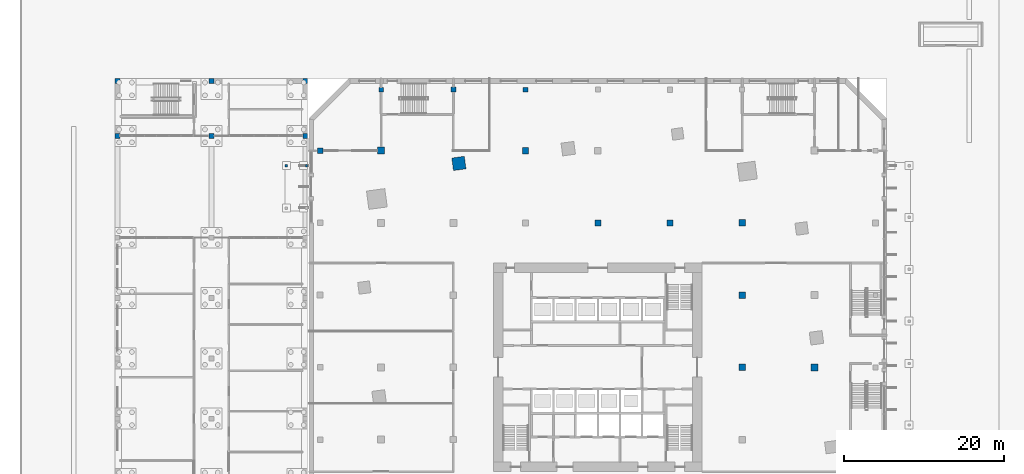
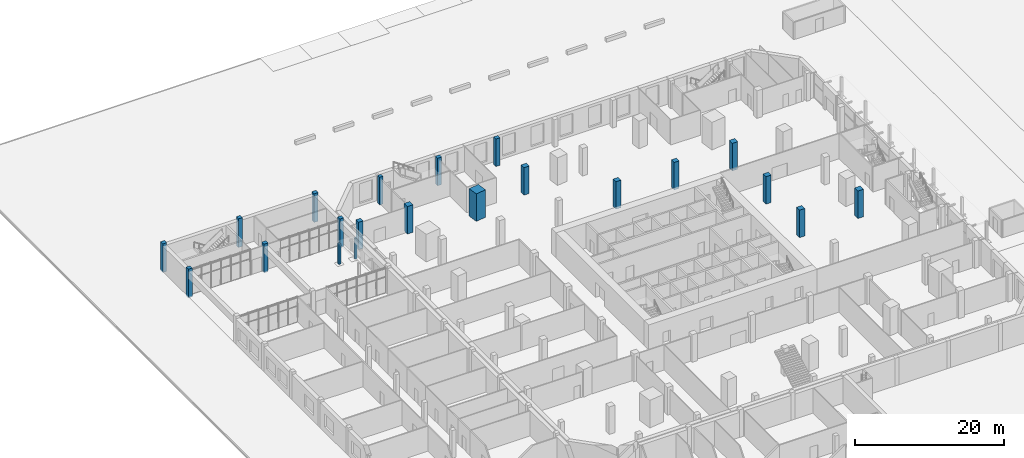
# One storey, part 6 of 42: 21 columns.
"""IFC4 building model written with IfcOpenShell, lengths in metres."""

from ifc_helpers import new_model, si_unit, direction, frame, origin, origin_2d, place, context, subcontext, project, spatial, rectangle, extrude, material, material_profile, profile_set, type_object, element, save


model = new_model("IFC4")

# Units and contexts
model_context = context("Model", 3, precision=1e-05, world=origin(), true_north=direction((0.0, 1.0)))
body_context = subcontext(model_context, "Body", "Model", "MODEL_VIEW")
ifc_project = project(units=[si_unit("LENGTHUNIT", "METRE"), si_unit("AREAUNIT", "SQUARE_METRE"), si_unit("VOLUMEUNIT", "CUBIC_METRE"), si_unit("PLANEANGLEUNIT", "RADIAN"), si_unit("MASSUNIT", "GRAM", prefix="KILO")], contexts=[model_context])

# Site, building, storey
site_placement = place(None, origin())
site = spatial("IfcSite", under=ifc_project, at=site_placement, CompositionType="ELEMENT")
building_placement = place(site_placement, origin())
building = spatial("IfcBuilding", under=site, at=building_placement, Name="Dilmun Exchange Tower", CompositionType="ELEMENT")
storey_placement = place(building_placement, origin())
storey = spatial("IfcBuildingStorey", under=building, at=storey_placement, Name="L00", CompositionType="ELEMENT", Elevation=0.0)

# Columns
ifc_material_1 = material(Name="Concrete C40/50", Category="concrete")
ifc_material_profile_1 = material_profile(ifc_material_1, rectangle(XDim=0.300048828125, YDim=0.300048828125, at=origin_2d()), Name="300 x 300")
ifc_profile_set_1 = profile_set([ifc_material_profile_1], Name="Concrete C40/50")
column_type_1 = type_object("IfcColumnType", Name="Canopy column 300 x 300 C40/50", PredefinedType="COLUMN", material=ifc_profile_set_1)
for number, where, z_axis, x_axis, name in (
    (1, (-38.800048828125, 25.14990234375, 0.0), (0.0, 0.0, 1.0), (0.0, -1.0, 0.0), "Canopy column 7.1"),
    (2, (-36.300048828125, 25.14990234375, 0.0), (0.0, 0.0, 1.0), (0.0, -1.0, 0.0), "Canopy column 7.3"),
):
    element("IfcColumn", number, at=place(storey_placement, frame(where, z_axis=z_axis, x_axis=x_axis)), inside=storey, type_object=column_type_1, Name=name, PredefinedType="COLUMN", context=body_context, shape_type="SweptSolid", body=[
        extrude(rectangle(XDim=0.300048828125, YDim=0.300048828125, at=origin_2d()), origin(), (0.0, 0.0, 1.0), 3.35009765625),
    ])
ifc_material_2 = material(Name="Concrete C60/75", Category="concrete")
ifc_material_profile_2 = material_profile(ifc_material_2, rectangle(XDim=0.550048828125, YDim=0.550048828125, at=origin_2d()), Name="550 x 550")
ifc_profile_set_2 = profile_set([ifc_material_profile_2], Name="Concrete C60/75")
column_type_2 = type_object("IfcColumnType", Name="RC podium column 550 x 550 C60/75", PredefinedType="COLUMN", material=ifc_profile_set_2)
column_1_placement = place(storey_placement, frame((-27.0, 34.60009765625, 0.0), z_axis=(0.0, 0.0, 1.0), x_axis=(1.0, 0.0, 0.0)))
element("IfcColumn", 3, at=column_1_placement, inside=storey, type_object=column_type_2, Name="Podium column 6N", PredefinedType="COLUMN", context=body_context, shape_type="SweptSolid", body=[
    extrude(rectangle(XDim=0.550048828125, YDim=0.550048828125, at=origin_2d()), origin(), (0.0, 0.0, 1.0), 4.5),
])
ifc_material_profile_3 = material_profile(ifc_material_2, rectangle(XDim=0.60009765625, YDim=0.60009765625, at=origin_2d()), Name="600 x 600")
ifc_profile_set_3 = profile_set([ifc_material_profile_3], Name="Concrete C60/75")
column_type_3 = type_object("IfcColumnType", Name="RC podium column 600 x 600 C60/75", PredefinedType="COLUMN", material=ifc_profile_set_3)
column_2_placement = place(storey_placement, frame((-9.0, 34.60009765625, 0.0), z_axis=(0.0, 0.0, 1.0), x_axis=(1.0, 0.0, 0.0)))
element("IfcColumn", 4, at=column_2_placement, inside=storey, type_object=column_type_3, Name="Podium column 8N", PredefinedType="COLUMN", context=body_context, shape_type="SweptSolid", body=[
    extrude(rectangle(XDim=0.60009765625, YDim=0.60009765625, at=origin_2d()), origin(), (0.0, 0.0, 1.0), 4.5),
])
ifc_material_profile_4 = material_profile(ifc_material_2, rectangle(XDim=0.625, YDim=0.625, at=origin_2d()), Name="625 x 625")
ifc_profile_set_4 = profile_set([ifc_material_profile_4], Name="Concrete C60/75")
column_type_4 = type_object("IfcColumnType", Name="RC podium column 625 x 625 C60/75", PredefinedType="COLUMN", material=ifc_profile_set_4)
column_3_placement = place(storey_placement, frame((-18.0, 34.60009765625, 0.0), z_axis=(0.0, 0.0, 1.0), x_axis=(1.0, 0.0, 0.0)))
element("IfcColumn", 5, at=column_3_placement, inside=storey, type_object=column_type_4, Name="Podium column 7N", PredefinedType="COLUMN", context=body_context, shape_type="SweptSolid", body=[
    extrude(rectangle(XDim=0.625, YDim=0.625, at=origin_2d()), origin(), (0.0, 0.0, 1.0), 4.5),
])
ifc_material_profile_5 = material_profile(ifc_material_2, rectangle(XDim=0.699951171875, YDim=0.699951171875, at=origin_2d()), Name="700 x 700")
ifc_profile_set_5 = profile_set([ifc_material_profile_5], Name="Concrete C60/75")
column_type_5 = type_object("IfcColumnType", Name="RC podium column 700 x 700 C60/75", PredefinedType="COLUMN", material=ifc_profile_set_5)
column_4_placement = place(storey_placement, frame((-34.60009765625, 27.0, 0.0), z_axis=(0.0, 0.0, 1.0), x_axis=(1.0, 0.0, 0.0)))
element("IfcColumn", 6, at=column_4_placement, inside=storey, type_object=column_type_5, Name="Podium column 5M", PredefinedType="COLUMN", context=body_context, shape_type="SweptSolid", body=[
    extrude(rectangle(XDim=0.699951171875, YDim=0.699951171875, at=origin_2d()), origin(), (0.0, 0.0, 1.0), 4.5),
])
ifc_material_profile_6 = material_profile(ifc_material_2, rectangle(XDim=0.75, YDim=0.75, at=origin_2d()), Name="750 x 750")
ifc_profile_set_6 = profile_set([ifc_material_profile_6], Name="Concrete C60/75")
column_type_6 = type_object("IfcColumnType", Name="RC podium column 750 x 750 C60/75", PredefinedType="COLUMN", material=ifc_profile_set_6)
for number, where, z_axis, x_axis, name in (
    (7, (0.0, 18.0, 0.0), (0.0, 0.0, 1.0), (1.0, 0.0, 0.0), "Podium column 9L"),
    (8, (9.0, 18.0, 0.0), (0.0, 0.0, 1.0), (1.0, 0.0, 0.0), "Podium column 10L"),
):
    element("IfcColumn", number, at=place(storey_placement, frame(where, z_axis=z_axis, x_axis=x_axis)), inside=storey, type_object=column_type_6, Name=name, PredefinedType="COLUMN", context=body_context, shape_type="SweptSolid", body=[
        extrude(rectangle(XDim=0.75, YDim=0.75, at=origin_2d()), origin(), (0.0, 0.0, 1.0), 4.5),
    ])
ifc_material_profile_7 = material_profile(ifc_material_2, rectangle(XDim=0.77490234375, YDim=0.77490234375, at=origin_2d()), Name="775 x 775")
ifc_profile_set_7 = profile_set([ifc_material_profile_7], Name="Concrete C60/75")
column_type_7 = type_object("IfcColumnType", Name="RC podium column 775 x 775 C60/75", PredefinedType="COLUMN", material=ifc_profile_set_7)
for number, where, z_axis, x_axis, name in (
    (9, (-9.0, 27.0, 0.0), (0.0, 0.0, 1.0), (1.0, 0.0, 0.0), "Podium column 8M"),
    (10, (18.0, 9.0, 0.0), (0.0, 0.0, 1.0), (1.0, 0.0, 0.0), "Podium column 11K"),
):
    element("IfcColumn", number, at=place(storey_placement, frame(where, z_axis=z_axis, x_axis=x_axis)), inside=storey, type_object=column_type_7, Name=name, PredefinedType="COLUMN", context=body_context, shape_type="SweptSolid", body=[
        extrude(rectangle(XDim=0.77490234375, YDim=0.77490234375, at=origin_2d()), origin(), (0.0, 0.0, 1.0), 4.5),
    ])
ifc_material_profile_8 = material_profile(ifc_material_2, rectangle(XDim=0.800048828125, YDim=0.800048828125, at=origin_2d()), Name="800 x 800")
ifc_profile_set_8 = profile_set([ifc_material_profile_8], Name="Concrete C60/75")
column_type_8 = type_object("IfcColumnType", Name="RC podium column 800 x 800 C60/75", PredefinedType="COLUMN", material=ifc_profile_set_8)
column_5_placement = place(storey_placement, frame((18.0, 0.0, 0.0), z_axis=(0.0, 0.0, 1.0), x_axis=(1.0, 0.0, 0.0)))
element("IfcColumn", 11, at=column_5_placement, inside=storey, type_object=column_type_8, Name="Podium column 11J", PredefinedType="COLUMN", context=body_context, shape_type="SweptSolid", body=[
    extrude(rectangle(XDim=0.800048828125, YDim=0.800048828125, at=origin_2d()), origin(), (0.0, 0.0, 1.0), 4.5),
])
ifc_material_profile_9 = material_profile(ifc_material_2, rectangle(XDim=0.824951171875, YDim=0.824951171875, at=origin_2d()), Name="825 x 825")
ifc_profile_set_9 = profile_set([ifc_material_profile_9], Name="Concrete C60/75")
column_type_9 = type_object("IfcColumnType", Name="RC podium column 825 x 825 C60/75", PredefinedType="COLUMN", material=ifc_profile_set_9)
column_6_placement = place(storey_placement, frame((18.0, 18.0, 0.0), z_axis=(0.0, 0.0, 1.0), x_axis=(1.0, 0.0, 0.0)))
element("IfcColumn", 12, at=column_6_placement, inside=storey, type_object=column_type_9, Name="Podium column 11L", PredefinedType="COLUMN", context=body_context, shape_type="SweptSolid", body=[
    extrude(rectangle(XDim=0.824951171875, YDim=0.824951171875, at=origin_2d()), origin(), (0.0, 0.0, 1.0), 4.5),
])
ifc_material_profile_10 = material_profile(ifc_material_2, rectangle(XDim=0.875, YDim=0.875, at=origin_2d()), Name="875 x 875")
ifc_profile_set_10 = profile_set([ifc_material_profile_10], Name="Concrete C60/75")
column_type_10 = type_object("IfcColumnType", Name="RC podium column 875 x 875 C60/75", PredefinedType="COLUMN", material=ifc_profile_set_10)
for number, where, z_axis, x_axis, name in (
    (13, (-27.0, 27.0, 0.0), (0.0, 0.0, 1.0), (1.0, 0.0, 0.0), "Podium column 6M"),
    (14, (27.0, 0.0, 0.0), (0.0, 0.0, 1.0), (1.0, 0.0, 0.0), "Podium column 12J"),
):
    element("IfcColumn", number, at=place(storey_placement, frame(where, z_axis=z_axis, x_axis=x_axis)), inside=storey, type_object=column_type_10, Name=name, PredefinedType="COLUMN", context=body_context, shape_type="SweptSolid", body=[
        extrude(rectangle(XDim=0.875, YDim=0.875, at=origin_2d()), origin(), (0.0, 0.0, 1.0), 4.5),
    ])
ifc_material_3 = material(Name="Concrete C80/95", Category="concrete")
ifc_material_profile_11 = material_profile(ifc_material_3, rectangle(XDim=1.574951171875, YDim=1.574951171875, at=origin_2d()), Name="1575 x 1575")
ifc_profile_set_11 = profile_set([ifc_material_profile_11], Name="Concrete C80/95")
column_type_11 = type_object("IfcColumnType", Name="RC ring column 1575 x 1575 C80/95", PredefinedType="COLUMN", material=ifc_profile_set_11)
column_7_placement = place(storey_placement, frame((-17.306884765625, 25.412109375, 0.0), z_axis=(0.0, 0.0, 1.0), x_axis=(0.991001197216, 0.133853005627, 0.0)))
element("IfcColumn", 15, at=column_7_placement, inside=storey, type_object=column_type_11, Name="Ring column R03", PredefinedType="COLUMN", context=body_context, shape_type="SweptSolid", body=[
    extrude(rectangle(XDim=1.574951171875, YDim=1.574951171875, at=origin_2d()), origin(), (0.0, 0.0, 1.0), 4.5),
])
ifc_material_profile_12 = material_profile(ifc_material_1, rectangle(XDim=0.60009765625, YDim=0.60009765625, at=origin_2d()), Name="600 x 600")
ifc_profile_set_12 = profile_set([ifc_material_profile_12], Name="Concrete C40/50")
column_type_12 = type_object("IfcColumnType", Name="School column 600 x 600 C40/50", PredefinedType="COLUMN", material=ifc_profile_set_12)
for number, where, z_axis, x_axis, name in (
    (16, (-59.85009765625, 28.85009765625, -0.199951171875), (0.0, 0.0, 1.0), (1.0, 0.0, 0.0), "School column X01Y11"),
    (17, (-59.85009765625, 35.699951171875, -0.199951171875), (0.0, 0.0, 1.0), (1.0, 0.0, 0.0), "School column X01Y12"),
    (18, (-48.14990234375, 28.85009765625, -0.199951171875), (0.0, 0.0, 1.0), (1.0, 0.0, 0.0), "School column X02Y11"),
    (19, (-48.14990234375, 35.699951171875, -0.199951171875), (0.0, 0.0, 1.0), (1.0, 0.0, 0.0), "School column X02Y12"),
    (20, (-36.449951171875, 28.85009765625, -0.199951171875), (0.0, 0.0, 1.0), (1.0, 0.0, 0.0), "School column X03Y11"),
    (21, (-36.449951171875, 35.699951171875, -0.199951171875), (0.0, 0.0, 1.0), (1.0, 0.0, 0.0), "School column X03Y12"),
):
    element("IfcColumn", number, at=place(storey_placement, frame(where, z_axis=z_axis, x_axis=x_axis)), inside=storey, type_object=column_type_12, Name=name, PredefinedType="COLUMN", context=body_context, shape_type="SweptSolid", body=[
        extrude(rectangle(XDim=0.60009765625, YDim=0.60009765625, at=origin_2d()), origin(), (0.0, 0.0, 1.0), 4.699951171875),
    ])

save(model, "model.ifc")
